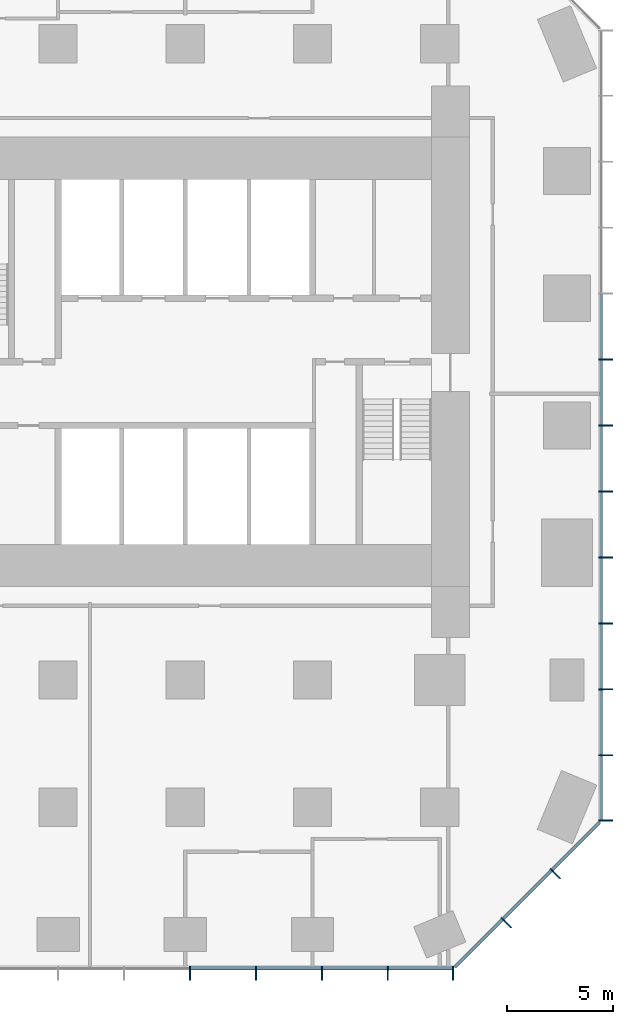
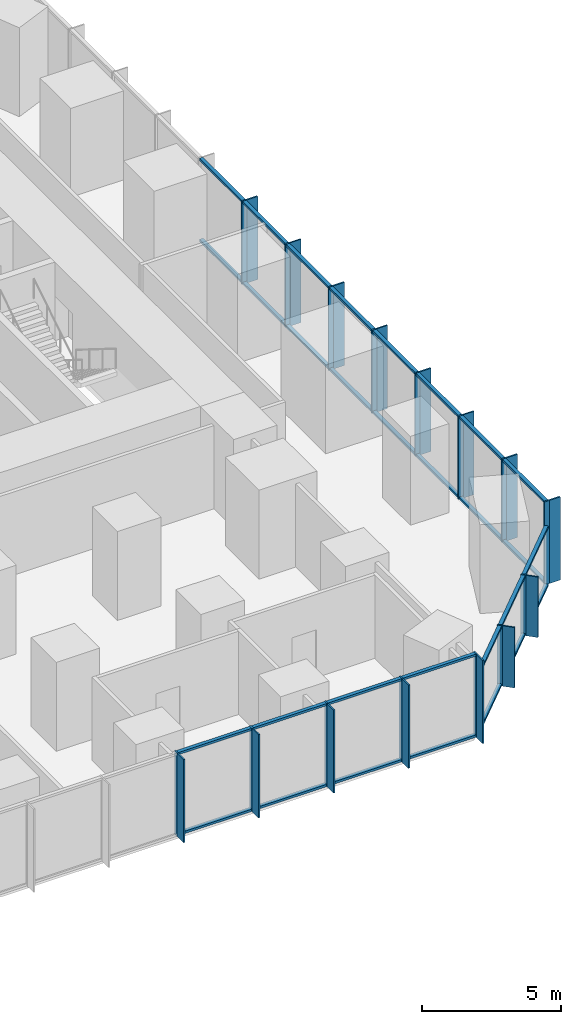
# One storey, part 4 of 12: 60 members, 3 elements without a shape of their own.
"""IFC4 building model written with IfcOpenShell, lengths in metres."""

import ifcopenshell
import ifcopenshell.guid

model = None  # the IFC model being written
_history = None  # IfcOwnerHistory: only IFC2X3 demands one
_inside = {}  # id of a spatial element -> (the spatial element, [elements in it])
_under = {}  # id of a project, library or spatial element -> (it, [spatial elements below it])
_declared = {}  # id of a project -> (the project, [libraries it declares])
_typed = {}  # id of a type object -> (the type object, [elements of that type])
_made_of = {}  # id of a material, layer set ... -> (it, [elements and type objects made of it])


def new_model(schema):
    """Start an empty IFC model of exactly this schema.

    Asked for "IFC4X3", IfcOpenShell would pick the latest addendum, in which some entities
    have other attributes; the version numbers below select the first issue.
    IFC2X3 requires an IfcOwnerHistory on every rooted entity: one is made here for all.
    """
    global model, _history
    if schema == "IFC4X3":
        model = ifcopenshell.file(schema_version=(4, 3, 0, 0))
    else:
        model = ifcopenshell.file(schema=schema)
    _inside.clear()
    _under.clear()
    _declared.clear()
    _typed.clear()
    _made_of.clear()
    _history = None
    if model.schema == "IFC2X3":
        org = make("IfcOrganization", Name="unknown")
        user = make(
            "IfcPersonAndOrganization",
            ThePerson=make("IfcPerson", FamilyName="unknown"),
            TheOrganization=org,
        )
        app = make(
            "IfcApplication",
            ApplicationDeveloper=org,
            Version="unknown",
            ApplicationFullName="unknown",
            ApplicationIdentifier="unknown",
        )
        _history = make(
            "IfcOwnerHistory",
            OwningUser=user,
            OwningApplication=app,
            ChangeAction="ADDED",
            CreationDate=0,
        )
    return model


def make(cls, **values):
    """One entity of the class cls with the attributes given. An attribute that is None is left unset."""
    return model.create_entity(
        cls, **{name: value for name, value in values.items() if value is not None}
    )


def rooted(cls, **values):
    """An entity with a GlobalId (a new one), such as an element, a storey or a relation."""
    return make(cls, GlobalId=ifcopenshell.guid.new(), OwnerHistory=_history, **values)


def si_unit(unit_type, name, prefix=None):
    """IfcSIUnit, for example si_unit("LENGTHUNIT", "METRE", prefix="MILLI")."""
    return make("IfcSIUnit", UnitType=unit_type, Prefix=prefix, Name=name)


def assignment(units):
    """IfcUnitAssignment: the units of a project."""
    return None if units is None else make("IfcUnitAssignment", Units=units)


def point(xyz):
    """IfcCartesianPoint."""
    return None if xyz is None else make("IfcCartesianPoint", Coordinates=xyz)


def direction(xyz):
    """IfcDirection."""
    return None if xyz is None else make("IfcDirection", DirectionRatios=xyz)


def frame(location, z_axis=None, x_axis=None):
    """IfcAxis2Placement3D, a coordinate frame: its origin and axes. An axis left out is left unset."""
    return make(
        "IfcAxis2Placement3D",
        Location=point(location),
        Axis=direction(z_axis),
        RefDirection=direction(x_axis),
    )


def frame_2d(location, x_axis=None):
    """IfcAxis2Placement2D, a coordinate frame in the plane: its origin and x axis."""
    return make(
        "IfcAxis2Placement2D", Location=point(location), RefDirection=direction(x_axis)
    )


def origin():
    """The frame at (0, 0, 0) with its axes left unset."""
    return frame((0.0, 0.0, 0.0))


def origin_2d():
    """The frame at (0, 0) in the plane with its x axis left unset."""
    return frame_2d((0.0, 0.0))


def place(relative_to, where):
    """IfcLocalPlacement: puts the frame where relative to a parent placement (None: the world)."""
    return make(
        "IfcLocalPlacement", PlacementRelTo=relative_to, RelativePlacement=where
    )


def context(
    kind, dimensions, precision=None, world=None, true_north=None, identifier=None
):
    """IfcGeometricRepresentationContext, for example the 3D "Model" context."""
    return make(
        "IfcGeometricRepresentationContext",
        ContextIdentifier=identifier,
        ContextType=kind,
        CoordinateSpaceDimension=dimensions,
        Precision=precision,
        WorldCoordinateSystem=world,
        TrueNorth=true_north,
    )


def subcontext(parent, identifier, kind, view, scale=None):
    """IfcGeometricRepresentationSubContext, for example "Body" below "Model"."""
    return make(
        "IfcGeometricRepresentationSubContext",
        ContextIdentifier=identifier,
        ContextType=kind,
        ParentContext=parent,
        TargetScale=scale,
        TargetView=view,
    )


def project(units=None, contexts=None):
    """IfcProject with its units and contexts."""
    return rooted(
        "IfcProject",
        Name="project",
        RepresentationContexts=contexts,
        UnitsInContext=assignment(units),
    )


def spatial(cls, under=None, at=None, **own):
    """A site, building, storey or space (cls), placed at a placement, below another one or the project."""
    s = rooted(cls, ObjectPlacement=at, **own)
    if under is not None:
        _under.setdefault(under.id(), (under, []))[1].append(s)
    return s


def profile(cls, at=None, kind="AREA", **sizes):
    """A parametric profile (cls). Its sizes go by their IFC names, for example OverallWidth=200.0."""
    return make(cls, ProfileType=kind, Position=at, **sizes)


def rectangle(**sizes):
    """IfcRectangleProfileDef."""
    return profile("IfcRectangleProfileDef", **sizes)


def extrude(swept, where, along, depth):
    """IfcExtrudedAreaSolid: the profile swept, set in the frame where, extruded along a direction by depth."""
    return make(
        "IfcExtrudedAreaSolid",
        SweptArea=swept,
        Position=where,
        ExtrudedDirection=direction(along),
        Depth=depth,
    )


def shape(context_of_items, identifier, shape_type, items):
    """IfcShapeRepresentation: the items that make up one representation, for example the "Body"."""
    return make(
        "IfcShapeRepresentation",
        ContextOfItems=context_of_items,
        RepresentationIdentifier=identifier,
        RepresentationType=shape_type,
        Items=items,
    )


def material(Name=None, Category=None):
    """IfcMaterial."""
    return make("IfcMaterial", Name=Name, Category=Category)


def layer(
    of_material, thickness, ventilated=None, Name=None, Category=None, Priority=None
):
    """IfcMaterialLayer: one layer of a wall or slab, of a material (None: an air gap)."""
    return make(
        "IfcMaterialLayer",
        Material=of_material,
        LayerThickness=thickness,
        IsVentilated=ventilated,
        Name=Name,
        Category=Category,
        Priority=Priority,
    )


def layer_set(layers, Name=None):
    """IfcMaterialLayerSet."""
    return make("IfcMaterialLayerSet", MaterialLayers=layers, LayerSetName=Name)


def material_profile(
    of_material, cross_section, Name=None, Category=None, Priority=None
):
    """IfcMaterialProfile: a cross section and its material."""
    return make(
        "IfcMaterialProfile",
        Name=Name,
        Material=of_material,
        Profile=cross_section,
        Priority=Priority,
        Category=Category,
    )


def profile_set(profiles, Name=None, composite=None):
    """IfcMaterialProfileSet."""
    return make(
        "IfcMaterialProfileSet",
        Name=Name,
        MaterialProfiles=profiles,
        CompositeProfile=composite,
    )


def made_of(thing, what):
    """Note that an element or type object is made of a material, layer set ...; save() writes the relation."""
    if what is not None:
        _made_of.setdefault(what.id(), (what, []))[1].append(thing)
    return thing


def type_object(cls, material=None, **own):
    """A type object (cls), such as IfcWallType, which elements share."""
    return made_of(rooted(cls, **own), material)


def element(
    cls,
    number,
    at=None,
    inside=None,
    cuts=None,
    type_object=None,
    material=None,
    context=None,
    identifier="Body",
    shape_type=None,
    held_by="IfcProductDefinitionShape",
    body=None,
    shapes=None,
    **own,
):
    """One element of the class cls, such as IfcWall. Its Tag is "e" and its number.

    at: its placement. inside: the storey or other place that contains it. cuts: it is an
    opening in that element (IfcRelVoidsElement). A single representation is given by context,
    identifier, shape_type and body (its items); several are given by shapes. held_by: the class
    of the entity that holds the representations. save() writes the other relations.
    """
    e = rooted(cls, Tag="e%d" % number, ObjectPlacement=at, **own)
    if body is not None:
        shapes = [shape(context, identifier, shape_type, body)]
    if shapes is not None:
        e.Representation = make(held_by, Representations=shapes)
    if inside is not None:
        _inside.setdefault(inside.id(), (inside, []))[1].append(e)
    if cuts is not None:
        rooted(
            "IfcRelVoidsElement", RelatingBuildingElement=cuts, RelatedOpeningElement=e
        )
    if type_object is not None:
        _typed.setdefault(type_object.id(), (type_object, []))[1].append(e)
    return made_of(e, material)


def aggregate(whole, parts):
    """IfcRelAggregates: a whole, such as a stair, and the parts it consists of."""
    return rooted("IfcRelAggregates", RelatingObject=whole, RelatedObjects=parts)


def save(model, path):
    """Write the relations noted so far, then the file.

    IfcRelAggregates (storeys below a building ...), IfcRelContainedInSpatialStructure (elements
    in a storey), IfcRelDefinesByType, IfcRelAssociatesMaterial and IfcRelDeclares: one each for
    every whole, place, type object, material and project.
    """
    for whole, parts in _under.values():
        aggregate(whole, parts)
    for where, things in _inside.values():
        rooted(
            "IfcRelContainedInSpatialStructure",
            RelatedElements=things,
            RelatingStructure=where,
        )
    for kind, things in _typed.values():
        rooted("IfcRelDefinesByType", RelatedObjects=things, RelatingType=kind)
    for what, things in _made_of.values():
        rooted("IfcRelAssociatesMaterial", RelatedObjects=things, RelatingMaterial=what)
    for by, libraries in _declared.values():
        rooted("IfcRelDeclares", RelatingContext=by, RelatedDefinitions=libraries)
    model.write(path)


model = new_model("IFC4")

# Units and contexts
model_context = context("Model", 3, precision=1e-05, world=origin(), true_north=direction((0.0, 1.0)))
body_context = subcontext(model_context, "Body", "Model", "MODEL_VIEW")
ifc_project = project(units=[si_unit("LENGTHUNIT", "METRE"), si_unit("AREAUNIT", "SQUARE_METRE"), si_unit("VOLUMEUNIT", "CUBIC_METRE"), si_unit("PLANEANGLEUNIT", "RADIAN"), si_unit("MASSUNIT", "GRAM", prefix="KILO")], contexts=[model_context])

# Site, building, storey
site_placement = place(None, origin())
site = spatial("IfcSite", under=ifc_project, at=site_placement, CompositionType="ELEMENT")
building_placement = place(site_placement, origin())
building = spatial("IfcBuilding", under=site, at=building_placement, Name="Highveld Stack Headquarters", CompositionType="ELEMENT")
storey_placement = place(building_placement, frame((0.0, 0.0, 37.699951171875)))
storey = spatial("IfcBuildingStorey", under=building, at=storey_placement, Name="L08", CompositionType="ELEMENT", Elevation=37.699951171875)

# Curtain wall, members
ifc_material_1 = material(Name="Aluminium bronze anodised", Category="aluminium")
ifc_layer_1 = layer(ifc_material_1, 0.199951171875)
ifc_layer_set_1 = layer_set([ifc_layer_1], Name="Aluminium bronze anodised")
curtain_wall_type_1 = type_object("IfcCurtainWallType", Name="CW1 TOWER UNITISED CURTAIN WALL", PredefinedType="NOTDEFINED", material=ifc_layer_set_1)
curtain_wall_1_placement = place(storey_placement, origin())
curtain_wall_1 = element("IfcCurtainWall", 1, at=curtain_wall_1_placement, inside=storey, type_object=curtain_wall_type_1, Name="Curtain wall CW1 L08 S", PredefinedType="NOTDEFINED")
ifc_material_2 = material(Name="Aluminium bronze anodised", Category="aluminium")
ifc_material_profile_1 = material_profile(ifc_material_2, rectangle(XDim=0.449951171875, YDim=0.06005859375, at=origin_2d()), Name="FIN 450x60")
ifc_profile_set_1 = profile_set([ifc_material_profile_1], Name="Aluminium bronze anodised")
member_type_1 = type_object("IfcMemberType", Name="CW1 BRONZE FIN 450x60", PredefinedType="USERDEFINED", material=ifc_profile_set_1)
member_1_placement = place(storey_placement, frame((6.220947265625, -25.925048828125, 0.0), z_axis=(0.0, 0.0, 1.0), x_axis=(0.0, 1.0, 0.0)))
member_1 = element("IfcMember", 2, at=member_1_placement, type_object=member_type_1, Name="CW1 fin L08 9", ObjectType="FIN", PredefinedType="USERDEFINED", context=body_context, shape_type="SweptSolid", body=[
    extrude(rectangle(XDim=0.449951171875, YDim=0.06005859375, at=origin_2d()), origin(), (0.0, 0.0, 1.0), 3.650146484375),
])
member_2_placement = place(storey_placement, frame((9.331298828125, -25.925048828125, 0.0), z_axis=(0.0, 0.0, 1.0), x_axis=(0.0, 1.0, 0.0)))
member_2 = element("IfcMember", 3, at=member_2_placement, type_object=member_type_1, Name="CW1 fin L08 10", ObjectType="FIN", PredefinedType="USERDEFINED", context=body_context, shape_type="SweptSolid", body=[
    extrude(rectangle(XDim=0.449951171875, YDim=0.06005859375, at=origin_2d()), origin(), (0.0, 0.0, 1.0), 3.650146484375),
])
member_3_placement = place(storey_placement, frame((12.44189453125, -25.925048828125, 0.0), z_axis=(0.0, 0.0, 1.0), x_axis=(0.0, 1.0, 0.0)))
member_3 = element("IfcMember", 4, at=member_3_placement, type_object=member_type_1, Name="CW1 fin L08 11", ObjectType="FIN", PredefinedType="USERDEFINED", context=body_context, shape_type="SweptSolid", body=[
    extrude(rectangle(XDim=0.449951171875, YDim=0.06005859375, at=origin_2d()), origin(), (0.0, 0.0, 1.0), 3.650146484375),
])
member_4_placement = place(storey_placement, frame((15.55224609375, -25.925048828125, 0.0), z_axis=(0.0, 0.0, 1.0), x_axis=(0.0, 1.0, 0.0)))
member_4 = element("IfcMember", 5, at=member_4_placement, type_object=member_type_1, Name="CW1 fin L08 12", ObjectType="FIN", PredefinedType="USERDEFINED", context=body_context, shape_type="SweptSolid", body=[
    extrude(rectangle(XDim=0.449951171875, YDim=0.06005859375, at=origin_2d()), origin(), (0.0, 0.0, 1.0), 3.650146484375),
])
member_5_placement = place(storey_placement, frame((18.630126953125, -25.925048828125, 0.0), z_axis=(0.0, 0.0, 1.0), x_axis=(0.0, 1.0, 0.0)))
member_5 = element("IfcMember", 6, at=member_5_placement, type_object=member_type_1, Name="CW1 fin L08 13", ObjectType="FIN", PredefinedType="USERDEFINED", context=body_context, shape_type="SweptSolid", body=[
    extrude(rectangle(XDim=0.449951171875, YDim=0.06005859375, at=origin_2d()), origin(), (0.0, 0.0, 1.0), 3.650146484375),
])

curtain_wall_2_placement = place(storey_placement, origin())
curtain_wall_2 = element("IfcCurtainWall", 7, at=curtain_wall_2_placement, inside=storey, type_object=curtain_wall_type_1, Name="Curtain wall CW1 L08 E", PredefinedType="NOTDEFINED")
member_6_placement = place(storey_placement, frame((25.925048828125, -18.630126953125, 0.0), z_axis=(0.0, 0.0, 1.0), x_axis=(-1.0, 0.0, 0.0)))
member_6 = element("IfcMember", 8, at=member_6_placement, type_object=member_type_1, Name="CW1 fin L08 1", ObjectType="FIN", PredefinedType="USERDEFINED", context=body_context, shape_type="SweptSolid", body=[
    extrude(rectangle(XDim=0.449951171875, YDim=0.06005859375, at=origin_2d()), origin(), (0.0, 0.0, 1.0), 3.650146484375),
])
member_7_placement = place(storey_placement, frame((25.925048828125, -15.55224609375, 0.0), z_axis=(0.0, 0.0, 1.0), x_axis=(-1.0, 0.0, 0.0)))
member_7 = element("IfcMember", 9, at=member_7_placement, type_object=member_type_1, Name="CW1 fin L08 2", ObjectType="FIN", PredefinedType="USERDEFINED", context=body_context, shape_type="SweptSolid", body=[
    extrude(rectangle(XDim=0.449951171875, YDim=0.06005859375, at=origin_2d()), origin(), (0.0, 0.0, 1.0), 3.650146484375),
])
member_8_placement = place(storey_placement, frame((25.925048828125, -12.44189453125, 0.0), z_axis=(0.0, 0.0, 1.0), x_axis=(-1.0, 0.0, 0.0)))
member_8 = element("IfcMember", 10, at=member_8_placement, type_object=member_type_1, Name="CW1 fin L08 3", ObjectType="FIN", PredefinedType="USERDEFINED", context=body_context, shape_type="SweptSolid", body=[
    extrude(rectangle(XDim=0.449951171875, YDim=0.06005859375, at=origin_2d()), origin(), (0.0, 0.0, 1.0), 3.650146484375),
])
member_9_placement = place(storey_placement, frame((25.925048828125, -9.331298828125, 0.0), z_axis=(0.0, 0.0, 1.0), x_axis=(-1.0, 0.0, 0.0)))
member_9 = element("IfcMember", 11, at=member_9_placement, type_object=member_type_1, Name="CW1 fin L08 4", ObjectType="FIN", PredefinedType="USERDEFINED", context=body_context, shape_type="SweptSolid", body=[
    extrude(rectangle(XDim=0.449951171875, YDim=0.06005859375, at=origin_2d()), origin(), (0.0, 0.0, 1.0), 3.650146484375),
])
member_10_placement = place(storey_placement, frame((25.925048828125, -6.220947265625, 0.0), z_axis=(0.0, 0.0, 1.0), x_axis=(-1.0, 0.0, 0.0)))
member_10 = element("IfcMember", 12, at=member_10_placement, type_object=member_type_1, Name="CW1 fin L08 5", ObjectType="FIN", PredefinedType="USERDEFINED", context=body_context, shape_type="SweptSolid", body=[
    extrude(rectangle(XDim=0.449951171875, YDim=0.06005859375, at=origin_2d()), origin(), (0.0, 0.0, 1.0), 3.650146484375),
])
member_11_placement = place(storey_placement, frame((25.925048828125, -3.110595703125, 0.0), z_axis=(0.0, 0.0, 1.0), x_axis=(-1.0, 0.0, 0.0)))
member_11 = element("IfcMember", 13, at=member_11_placement, type_object=member_type_1, Name="CW1 fin L08 6", ObjectType="FIN", PredefinedType="USERDEFINED", context=body_context, shape_type="SweptSolid", body=[
    extrude(rectangle(XDim=0.449951171875, YDim=0.06005859375, at=origin_2d()), origin(), (0.0, 0.0, 1.0), 3.650146484375),
])
member_12_placement = place(storey_placement, frame((25.925048828125, 0.0, 0.0), z_axis=(0.0, 0.0, 1.0), x_axis=(-1.0, 0.0, 0.0)))
member_12 = element("IfcMember", 14, at=member_12_placement, type_object=member_type_1, Name="CW1 fin L08 7", ObjectType="FIN", PredefinedType="USERDEFINED", context=body_context, shape_type="SweptSolid", body=[
    extrude(rectangle(XDim=0.449951171875, YDim=0.06005859375, at=origin_2d()), origin(), (0.0, 0.0, 1.0), 3.650146484375),
])
member_13_placement = place(storey_placement, frame((25.925048828125, 3.110595703125, 0.0), z_axis=(0.0, 0.0, 1.0), x_axis=(-1.0, 0.0, 0.0)))
member_13 = element("IfcMember", 15, at=member_13_placement, type_object=member_type_1, Name="CW1 fin L08 8", ObjectType="FIN", PredefinedType="USERDEFINED", context=body_context, shape_type="SweptSolid", body=[
    extrude(rectangle(XDim=0.449951171875, YDim=0.06005859375, at=origin_2d()), origin(), (0.0, 0.0, 1.0), 3.650146484375),
])

# Member
ifc_material_3 = material(Name="Aluminium bronze anodised", Category="aluminium")
ifc_material_profile_2 = material_profile(ifc_material_3, rectangle(XDim=0.199951171875, YDim=0.06494140625, at=origin_2d()), Name="CW1 MULLION 65x200")
ifc_profile_set_2 = profile_set([ifc_material_profile_2], Name="Aluminium bronze anodised")
member_type_2 = type_object("IfcMemberType", Name="CW1 MULLION 65x200", PredefinedType="MULLION", material=ifc_profile_set_2)
member_14_placement = place(storey_placement, frame((6.220947265625, -25.60009765625, 0.0), z_axis=(0.0, 0.0, 1.0), x_axis=(0.0, 1.0, 0.0)))
member_14 = element("IfcMember", 16, at=member_14_placement, type_object=member_type_2, Name="CW1 mullion L08 9", PredefinedType="MULLION", context=body_context, shape_type="SweptSolid", body=[
    extrude(rectangle(XDim=0.199951171875, YDim=0.06494140625, at=origin_2d()), origin(), (0.0, 0.0, 1.0), 3.650146484375),
])

member_15_placement = place(storey_placement, frame((9.331298828125, -25.60009765625, 0.0), z_axis=(0.0, 0.0, 1.0), x_axis=(0.0, 1.0, 0.0)))
member_15 = element("IfcMember", 17, at=member_15_placement, type_object=member_type_2, Name="CW1 mullion L08 10", PredefinedType="MULLION", context=body_context, shape_type="SweptSolid", body=[
    extrude(rectangle(XDim=0.199951171875, YDim=0.06494140625, at=origin_2d()), origin(), (0.0, 0.0, 1.0), 3.650146484375),
])

member_16_placement = place(storey_placement, frame((12.44189453125, -25.60009765625, 0.0), z_axis=(0.0, 0.0, 1.0), x_axis=(0.0, 1.0, 0.0)))
member_16 = element("IfcMember", 18, at=member_16_placement, type_object=member_type_2, Name="CW1 mullion L08 11", PredefinedType="MULLION", context=body_context, shape_type="SweptSolid", body=[
    extrude(rectangle(XDim=0.199951171875, YDim=0.06494140625, at=origin_2d()), origin(), (0.0, 0.0, 1.0), 3.650146484375),
])

member_17_placement = place(storey_placement, frame((15.55224609375, -25.60009765625, 0.0), z_axis=(0.0, 0.0, 1.0), x_axis=(0.0, 1.0, 0.0)))
member_17 = element("IfcMember", 19, at=member_17_placement, type_object=member_type_2, Name="CW1 mullion L08 12", PredefinedType="MULLION", context=body_context, shape_type="SweptSolid", body=[
    extrude(rectangle(XDim=0.199951171875, YDim=0.06494140625, at=origin_2d()), origin(), (0.0, 0.0, 1.0), 3.650146484375),
])

member_18_placement = place(storey_placement, frame((18.630126953125, -25.60009765625, 0.0), z_axis=(0.0, 0.0, 1.0), x_axis=(0.0, 1.0, 0.0)))
member_18 = element("IfcMember", 20, at=member_18_placement, type_object=member_type_2, Name="CW1 mullion L08 13", PredefinedType="MULLION", context=body_context, shape_type="SweptSolid", body=[
    extrude(rectangle(XDim=0.199951171875, YDim=0.06494140625, at=origin_2d()), origin(), (0.0, 0.0, 1.0), 3.650146484375),
])

member_19_placement = place(storey_placement, frame((25.60009765625, -18.630126953125, 0.0), z_axis=(0.0, 0.0, 1.0), x_axis=(-1.0, 0.0, 0.0)))
member_19 = element("IfcMember", 21, at=member_19_placement, type_object=member_type_2, Name="CW1 mullion L08 1", PredefinedType="MULLION", context=body_context, shape_type="SweptSolid", body=[
    extrude(rectangle(XDim=0.199951171875, YDim=0.06494140625, at=origin_2d()), origin(), (0.0, 0.0, 1.0), 3.650146484375),
])

member_20_placement = place(storey_placement, frame((25.60009765625, -15.55224609375, 0.0), z_axis=(0.0, 0.0, 1.0), x_axis=(-1.0, 0.0, 0.0)))
member_20 = element("IfcMember", 22, at=member_20_placement, type_object=member_type_2, Name="CW1 mullion L08 2", PredefinedType="MULLION", context=body_context, shape_type="SweptSolid", body=[
    extrude(rectangle(XDim=0.199951171875, YDim=0.06494140625, at=origin_2d()), origin(), (0.0, 0.0, 1.0), 3.650146484375),
])

member_21_placement = place(storey_placement, frame((25.60009765625, -12.44189453125, 0.0), z_axis=(0.0, 0.0, 1.0), x_axis=(-1.0, 0.0, 0.0)))
member_21 = element("IfcMember", 23, at=member_21_placement, type_object=member_type_2, Name="CW1 mullion L08 3", PredefinedType="MULLION", context=body_context, shape_type="SweptSolid", body=[
    extrude(rectangle(XDim=0.199951171875, YDim=0.06494140625, at=origin_2d()), origin(), (0.0, 0.0, 1.0), 3.650146484375),
])

member_22_placement = place(storey_placement, frame((25.60009765625, -9.331298828125, 0.0), z_axis=(0.0, 0.0, 1.0), x_axis=(-1.0, 0.0, 0.0)))
member_22 = element("IfcMember", 24, at=member_22_placement, type_object=member_type_2, Name="CW1 mullion L08 4", PredefinedType="MULLION", context=body_context, shape_type="SweptSolid", body=[
    extrude(rectangle(XDim=0.199951171875, YDim=0.06494140625, at=origin_2d()), origin(), (0.0, 0.0, 1.0), 3.650146484375),
])

member_23_placement = place(storey_placement, frame((25.60009765625, -6.220947265625, 0.0), z_axis=(0.0, 0.0, 1.0), x_axis=(-1.0, 0.0, 0.0)))
member_23 = element("IfcMember", 25, at=member_23_placement, type_object=member_type_2, Name="CW1 mullion L08 5", PredefinedType="MULLION", context=body_context, shape_type="SweptSolid", body=[
    extrude(rectangle(XDim=0.199951171875, YDim=0.06494140625, at=origin_2d()), origin(), (0.0, 0.0, 1.0), 3.650146484375),
])

member_24_placement = place(storey_placement, frame((25.60009765625, -3.110595703125, 0.0), z_axis=(0.0, 0.0, 1.0), x_axis=(-1.0, 0.0, 0.0)))
member_24 = element("IfcMember", 26, at=member_24_placement, type_object=member_type_2, Name="CW1 mullion L08 6", PredefinedType="MULLION", context=body_context, shape_type="SweptSolid", body=[
    extrude(rectangle(XDim=0.199951171875, YDim=0.06494140625, at=origin_2d()), origin(), (0.0, 0.0, 1.0), 3.650146484375),
])

member_25_placement = place(storey_placement, frame((25.60009765625, 0.0, 0.0), z_axis=(0.0, 0.0, 1.0), x_axis=(-1.0, 0.0, 0.0)))
member_25 = element("IfcMember", 27, at=member_25_placement, type_object=member_type_2, Name="CW1 mullion L08 7", PredefinedType="MULLION", context=body_context, shape_type="SweptSolid", body=[
    extrude(rectangle(XDim=0.199951171875, YDim=0.06494140625, at=origin_2d()), origin(), (0.0, 0.0, 1.0), 3.650146484375),
])

member_26_placement = place(storey_placement, frame((25.60009765625, 3.110595703125, 0.0), z_axis=(0.0, 0.0, 1.0), x_axis=(-1.0, 0.0, 0.0)))
member_26 = element("IfcMember", 28, at=member_26_placement, type_object=member_type_2, Name="CW1 mullion L08 8", PredefinedType="MULLION", context=body_context, shape_type="SweptSolid", body=[
    extrude(rectangle(XDim=0.199951171875, YDim=0.06494140625, at=origin_2d()), origin(), (0.0, 0.0, 1.0), 3.650146484375),
])

ifc_material_4 = material(Name="Aluminium bronze anodised", Category="aluminium")
ifc_material_profile_3 = material_profile(ifc_material_4, rectangle(XDim=0.14990234375, YDim=0.10009765625, at=origin_2d()), Name="CW1 TRANSOM 150x100")
ifc_profile_set_3 = profile_set([ifc_material_profile_3], Name="Aluminium bronze anodised")
member_type_3 = type_object("IfcMemberType", Name="CW1 STACK TRANSOM 150x100", PredefinedType="USERDEFINED", material=ifc_profile_set_3)
member_27_placement = place(storey_placement, frame((6.25341796875, -25.60009765625, 0.050048828125), z_axis=(1.0, 0.0, 0.0), x_axis=(0.0, 1.0, 0.0)))
member_27 = element("IfcMember", 29, at=member_27_placement, type_object=member_type_3, Name="CW1 transom L08 9.1", ObjectType="TRANSOM", PredefinedType="USERDEFINED", context=body_context, shape_type="SweptSolid", body=[
    extrude(rectangle(XDim=0.14990234375, YDim=0.10009765625, at=origin_2d()), origin(), (0.0, 0.0, 1.0), 3.04541015625),
])

member_28_placement = place(storey_placement, frame((6.25341796875, -25.60009765625, 3.60009765625), z_axis=(1.0, 0.0, 0.0), x_axis=(0.0, 1.0, 0.0)))
member_28 = element("IfcMember", 30, at=member_28_placement, type_object=member_type_3, Name="CW1 transom L08 9.2", ObjectType="TRANSOM", PredefinedType="USERDEFINED", context=body_context, shape_type="SweptSolid", body=[
    extrude(rectangle(XDim=0.14990234375, YDim=0.10009765625, at=origin_2d()), origin(), (0.0, 0.0, 1.0), 3.04541015625),
])

member_29_placement = place(storey_placement, frame((9.36376953125, -25.60009765625, 0.050048828125), z_axis=(1.0, 0.0, 0.0), x_axis=(0.0, 1.0, 0.0)))
member_29 = element("IfcMember", 31, at=member_29_placement, type_object=member_type_3, Name="CW1 transom L08 10.1", ObjectType="TRANSOM", PredefinedType="USERDEFINED", context=body_context, shape_type="SweptSolid", body=[
    extrude(rectangle(XDim=0.14990234375, YDim=0.10009765625, at=origin_2d()), origin(), (0.0, 0.0, 1.0), 3.04541015625),
])

member_30_placement = place(storey_placement, frame((9.36376953125, -25.60009765625, 3.60009765625), z_axis=(1.0, 0.0, 0.0), x_axis=(0.0, 1.0, 0.0)))
member_30 = element("IfcMember", 32, at=member_30_placement, type_object=member_type_3, Name="CW1 transom L08 10.2", ObjectType="TRANSOM", PredefinedType="USERDEFINED", context=body_context, shape_type="SweptSolid", body=[
    extrude(rectangle(XDim=0.14990234375, YDim=0.10009765625, at=origin_2d()), origin(), (0.0, 0.0, 1.0), 3.04541015625),
])

member_31_placement = place(storey_placement, frame((12.474365234375, -25.60009765625, 0.050048828125), z_axis=(1.0, 0.0, 0.0), x_axis=(0.0, 1.0, 0.0)))
member_31 = element("IfcMember", 33, at=member_31_placement, type_object=member_type_3, Name="CW1 transom L08 11.1", ObjectType="TRANSOM", PredefinedType="USERDEFINED", context=body_context, shape_type="SweptSolid", body=[
    extrude(rectangle(XDim=0.14990234375, YDim=0.10009765625, at=origin_2d()), origin(), (0.0, 0.0, 1.0), 3.04541015625),
])

member_32_placement = place(storey_placement, frame((12.474365234375, -25.60009765625, 3.60009765625), z_axis=(1.0, 0.0, 0.0), x_axis=(0.0, 1.0, 0.0)))
member_32 = element("IfcMember", 34, at=member_32_placement, type_object=member_type_3, Name="CW1 transom L08 11.2", ObjectType="TRANSOM", PredefinedType="USERDEFINED", context=body_context, shape_type="SweptSolid", body=[
    extrude(rectangle(XDim=0.14990234375, YDim=0.10009765625, at=origin_2d()), origin(), (0.0, 0.0, 1.0), 3.04541015625),
])

member_33_placement = place(storey_placement, frame((15.584716796875, -25.60009765625, 0.050048828125), z_axis=(1.0, 0.0, 0.0), x_axis=(0.0, 1.0, 0.0)))
member_33 = element("IfcMember", 35, at=member_33_placement, type_object=member_type_3, Name="CW1 transom L08 12.1", ObjectType="TRANSOM", PredefinedType="USERDEFINED", context=body_context, shape_type="SweptSolid", body=[
    extrude(rectangle(XDim=0.14990234375, YDim=0.10009765625, at=origin_2d()), origin(), (0.0, 0.0, 1.0), 3.012939453125),
])

member_34_placement = place(storey_placement, frame((15.584716796875, -25.60009765625, 3.60009765625), z_axis=(1.0, 0.0, 0.0), x_axis=(0.0, 1.0, 0.0)))
member_34 = element("IfcMember", 36, at=member_34_placement, type_object=member_type_3, Name="CW1 transom L08 12.2", ObjectType="TRANSOM", PredefinedType="USERDEFINED", context=body_context, shape_type="SweptSolid", body=[
    extrude(rectangle(XDim=0.14990234375, YDim=0.10009765625, at=origin_2d()), origin(), (0.0, 0.0, 1.0), 3.012939453125),
])

aggregate(curtain_wall_1, [member_14, member_1, member_15, member_2, member_16, member_3, member_17, member_4, member_18, member_5, member_27, member_28, member_29, member_30, member_31, member_32, member_33, member_34])

member_35_placement = place(storey_placement, frame((25.60009765625, -18.59765625, 0.050048828125), z_axis=(0.0, 1.0, 0.0), x_axis=(-1.0, 0.0, 0.0)))
member_35 = element("IfcMember", 37, at=member_35_placement, type_object=member_type_3, Name="CW1 transom L08 1.1", ObjectType="TRANSOM", PredefinedType="USERDEFINED", context=body_context, shape_type="SweptSolid", body=[
    extrude(rectangle(XDim=0.14990234375, YDim=0.10009765625, at=origin_2d()), origin(), (0.0, 0.0, 1.0), 3.012939453125),
])

member_36_placement = place(storey_placement, frame((25.60009765625, -18.59765625, 3.60009765625), z_axis=(0.0, 1.0, 0.0), x_axis=(-1.0, 0.0, 0.0)))
member_36 = element("IfcMember", 38, at=member_36_placement, type_object=member_type_3, Name="CW1 transom L08 1.2", ObjectType="TRANSOM", PredefinedType="USERDEFINED", context=body_context, shape_type="SweptSolid", body=[
    extrude(rectangle(XDim=0.14990234375, YDim=0.10009765625, at=origin_2d()), origin(), (0.0, 0.0, 1.0), 3.012939453125),
])

member_37_placement = place(storey_placement, frame((25.60009765625, -15.519775390625, 0.050048828125), z_axis=(0.0, 1.0, 0.0), x_axis=(-1.0, 0.0, 0.0)))
member_37 = element("IfcMember", 39, at=member_37_placement, type_object=member_type_3, Name="CW1 transom L08 2.1", ObjectType="TRANSOM", PredefinedType="USERDEFINED", context=body_context, shape_type="SweptSolid", body=[
    extrude(rectangle(XDim=0.14990234375, YDim=0.10009765625, at=origin_2d()), origin(), (0.0, 0.0, 1.0), 3.04541015625),
])

member_38_placement = place(storey_placement, frame((25.60009765625, -15.519775390625, 3.60009765625), z_axis=(0.0, 1.0, 0.0), x_axis=(-1.0, 0.0, 0.0)))
member_38 = element("IfcMember", 40, at=member_38_placement, type_object=member_type_3, Name="CW1 transom L08 2.2", ObjectType="TRANSOM", PredefinedType="USERDEFINED", context=body_context, shape_type="SweptSolid", body=[
    extrude(rectangle(XDim=0.14990234375, YDim=0.10009765625, at=origin_2d()), origin(), (0.0, 0.0, 1.0), 3.04541015625),
])

member_39_placement = place(storey_placement, frame((25.60009765625, -12.4091796875, 0.050048828125), z_axis=(0.0, 1.0, 0.0), x_axis=(-1.0, 0.0, 0.0)))
member_39 = element("IfcMember", 41, at=member_39_placement, type_object=member_type_3, Name="CW1 transom L08 3.1", ObjectType="TRANSOM", PredefinedType="USERDEFINED", context=body_context, shape_type="SweptSolid", body=[
    extrude(rectangle(XDim=0.14990234375, YDim=0.10009765625, at=origin_2d()), origin(), (0.0, 0.0, 1.0), 3.045166015625),
])

member_40_placement = place(storey_placement, frame((25.60009765625, -12.4091796875, 3.60009765625), z_axis=(0.0, 1.0, 0.0), x_axis=(-1.0, 0.0, 0.0)))
member_40 = element("IfcMember", 42, at=member_40_placement, type_object=member_type_3, Name="CW1 transom L08 3.2", ObjectType="TRANSOM", PredefinedType="USERDEFINED", context=body_context, shape_type="SweptSolid", body=[
    extrude(rectangle(XDim=0.14990234375, YDim=0.10009765625, at=origin_2d()), origin(), (0.0, 0.0, 1.0), 3.045166015625),
])

member_41_placement = place(storey_placement, frame((25.60009765625, -9.298828125, 0.050048828125), z_axis=(0.0, 1.0, 0.0), x_axis=(-1.0, 0.0, 0.0)))
member_41 = element("IfcMember", 43, at=member_41_placement, type_object=member_type_3, Name="CW1 transom L08 4.1", ObjectType="TRANSOM", PredefinedType="USERDEFINED", context=body_context, shape_type="SweptSolid", body=[
    extrude(rectangle(XDim=0.14990234375, YDim=0.10009765625, at=origin_2d()), origin(), (0.0, 0.0, 1.0), 3.04541015625),
])

member_42_placement = place(storey_placement, frame((25.60009765625, -9.298828125, 3.60009765625), z_axis=(0.0, 1.0, 0.0), x_axis=(-1.0, 0.0, 0.0)))
member_42 = element("IfcMember", 44, at=member_42_placement, type_object=member_type_3, Name="CW1 transom L08 4.2", ObjectType="TRANSOM", PredefinedType="USERDEFINED", context=body_context, shape_type="SweptSolid", body=[
    extrude(rectangle(XDim=0.14990234375, YDim=0.10009765625, at=origin_2d()), origin(), (0.0, 0.0, 1.0), 3.04541015625),
])

member_43_placement = place(storey_placement, frame((25.60009765625, -6.1884765625, 0.050048828125), z_axis=(0.0, 1.0, 0.0), x_axis=(-1.0, 0.0, 0.0)))
member_43 = element("IfcMember", 45, at=member_43_placement, type_object=member_type_3, Name="CW1 transom L08 5.1", ObjectType="TRANSOM", PredefinedType="USERDEFINED", context=body_context, shape_type="SweptSolid", body=[
    extrude(rectangle(XDim=0.14990234375, YDim=0.10009765625, at=origin_2d()), origin(), (0.0, 0.0, 1.0), 3.04541015625),
])

member_44_placement = place(storey_placement, frame((25.60009765625, -6.1884765625, 3.60009765625), z_axis=(0.0, 1.0, 0.0), x_axis=(-1.0, 0.0, 0.0)))
member_44 = element("IfcMember", 46, at=member_44_placement, type_object=member_type_3, Name="CW1 transom L08 5.2", ObjectType="TRANSOM", PredefinedType="USERDEFINED", context=body_context, shape_type="SweptSolid", body=[
    extrude(rectangle(XDim=0.14990234375, YDim=0.10009765625, at=origin_2d()), origin(), (0.0, 0.0, 1.0), 3.04541015625),
])

member_45_placement = place(storey_placement, frame((25.60009765625, -3.077880859375, 0.050048828125), z_axis=(0.0, 1.0, 0.0), x_axis=(-1.0, 0.0, 0.0)))
member_45 = element("IfcMember", 47, at=member_45_placement, type_object=member_type_3, Name="CW1 transom L08 6.1", ObjectType="TRANSOM", PredefinedType="USERDEFINED", context=body_context, shape_type="SweptSolid", body=[
    extrude(rectangle(XDim=0.14990234375, YDim=0.10009765625, at=origin_2d()), origin(), (0.0, 0.0, 1.0), 3.04541015625),
])

member_46_placement = place(storey_placement, frame((25.60009765625, -3.077880859375, 3.60009765625), z_axis=(0.0, 1.0, 0.0), x_axis=(-1.0, 0.0, 0.0)))
member_46 = element("IfcMember", 48, at=member_46_placement, type_object=member_type_3, Name="CW1 transom L08 6.2", ObjectType="TRANSOM", PredefinedType="USERDEFINED", context=body_context, shape_type="SweptSolid", body=[
    extrude(rectangle(XDim=0.14990234375, YDim=0.10009765625, at=origin_2d()), origin(), (0.0, 0.0, 1.0), 3.04541015625),
])

member_47_placement = place(storey_placement, frame((25.60009765625, 0.032470703125, 0.050048828125), z_axis=(0.0, 1.0, 0.0), x_axis=(-1.0, 0.0, 0.0)))
member_47 = element("IfcMember", 49, at=member_47_placement, type_object=member_type_3, Name="CW1 transom L08 7.1", ObjectType="TRANSOM", PredefinedType="USERDEFINED", context=body_context, shape_type="SweptSolid", body=[
    extrude(rectangle(XDim=0.14990234375, YDim=0.10009765625, at=origin_2d()), origin(), (0.0, 0.0, 1.0), 3.04541015625),
])

member_48_placement = place(storey_placement, frame((25.60009765625, 0.032470703125, 3.60009765625), z_axis=(0.0, 1.0, 0.0), x_axis=(-1.0, 0.0, 0.0)))
member_48 = element("IfcMember", 50, at=member_48_placement, type_object=member_type_3, Name="CW1 transom L08 7.2", ObjectType="TRANSOM", PredefinedType="USERDEFINED", context=body_context, shape_type="SweptSolid", body=[
    extrude(rectangle(XDim=0.14990234375, YDim=0.10009765625, at=origin_2d()), origin(), (0.0, 0.0, 1.0), 3.04541015625),
])

member_49_placement = place(storey_placement, frame((25.60009765625, 3.142822265625, 0.050048828125), z_axis=(0.0, 1.0, 0.0), x_axis=(-1.0, 0.0, 0.0)))
member_49 = element("IfcMember", 51, at=member_49_placement, type_object=member_type_3, Name="CW1 transom L08 8.1", ObjectType="TRANSOM", PredefinedType="USERDEFINED", context=body_context, shape_type="SweptSolid", body=[
    extrude(rectangle(XDim=0.14990234375, YDim=0.10009765625, at=origin_2d()), origin(), (0.0, 0.0, 1.0), 3.045654296875),
])

member_50_placement = place(storey_placement, frame((25.60009765625, 3.142822265625, 3.60009765625), z_axis=(0.0, 1.0, 0.0), x_axis=(-1.0, 0.0, 0.0)))
member_50 = element("IfcMember", 52, at=member_50_placement, type_object=member_type_3, Name="CW1 transom L08 8.2", ObjectType="TRANSOM", PredefinedType="USERDEFINED", context=body_context, shape_type="SweptSolid", body=[
    extrude(rectangle(XDim=0.14990234375, YDim=0.10009765625, at=origin_2d()), origin(), (0.0, 0.0, 1.0), 3.045654296875),
])

aggregate(curtain_wall_2, [member_19, member_6, member_20, member_7, member_21, member_8, member_22, member_9, member_23, member_10, member_24, member_11, member_25, member_12, member_26, member_13, member_35, member_36, member_37, member_38, member_39, member_40, member_41, member_42, member_43, member_44, member_45, member_46, member_47, member_48, member_49, member_50])

# Curtain wall, members
ifc_material_5 = material(Name="Aluminium bronze anodised", Category="aluminium")
ifc_layer_2 = layer(ifc_material_5, 0.199951171875)
ifc_layer_set_2 = layer_set([ifc_layer_2], Name="Aluminium bronze anodised")
curtain_wall_type_2 = type_object("IfcCurtainWallType", Name="CW2 TOWER CHAMFER UNITISED CURTAIN WALL", PredefinedType="NOTDEFINED", material=ifc_layer_set_2)
curtain_wall_3_placement = place(storey_placement, origin())
curtain_wall_3 = element("IfcCurtainWall", 53, at=curtain_wall_3_placement, inside=storey, type_object=curtain_wall_type_2, Name="Curtain wall CW2 L08 SE", PredefinedType="NOTDEFINED")
ifc_material_6 = material(Name="Aluminium bronze anodised", Category="aluminium")
ifc_material_profile_4 = material_profile(ifc_material_6, rectangle(XDim=0.449951171875, YDim=0.06005859375, at=origin_2d()), Name="FIN 450x60")
ifc_profile_set_4 = profile_set([ifc_material_profile_4], Name="Aluminium bronze anodised")
member_type_4 = type_object("IfcMemberType", Name="CW2 BRONZE FIN 450x60", PredefinedType="USERDEFINED", material=ifc_profile_set_4)
member_51_placement = place(storey_placement, frame((21.204833984375, -23.517333984375, 0.0), z_axis=(0.0, 0.0, 1.0), x_axis=(-0.707106781187, 0.707106781187, 0.0)))
member_51 = element("IfcMember", 54, at=member_51_placement, type_object=member_type_4, Name="CW2 fin L08 1", ObjectType="FIN", PredefinedType="USERDEFINED", context=body_context, shape_type="SweptSolid", body=[
    extrude(rectangle(XDim=0.449951171875, YDim=0.06005859375, at=origin_2d()), origin(), (0.0, 0.0, 1.0), 2.650146484375),
])
member_52_placement = place(storey_placement, frame((23.517333984375, -21.204833984375, 0.0), z_axis=(0.0, 0.0, 1.0), x_axis=(-0.707106781187, 0.707106781187, 0.0)))
member_52 = element("IfcMember", 55, at=member_52_placement, type_object=member_type_4, Name="CW2 fin L08 2", ObjectType="FIN", PredefinedType="USERDEFINED", context=body_context, shape_type="SweptSolid", body=[
    extrude(rectangle(XDim=0.449951171875, YDim=0.06005859375, at=origin_2d()), origin(), (0.0, 0.0, 1.0), 2.650146484375),
])
ifc_material_7 = material(Name="Aluminium bronze anodised", Category="aluminium")
ifc_material_profile_5 = material_profile(ifc_material_7, rectangle(XDim=0.199951171875, YDim=0.06494140625, at=origin_2d()), Name="CW2 MULLION 65x200")
ifc_profile_set_5 = profile_set([ifc_material_profile_5], Name="Aluminium bronze anodised")
member_type_5 = type_object("IfcMemberType", Name="CW2 MULLION 65x200", PredefinedType="MULLION", material=ifc_profile_set_5)
member_53_placement = place(storey_placement, frame((20.97509765625, -23.28759765625, 0.0), z_axis=(0.0, 0.0, 1.0), x_axis=(-0.707106781187, 0.707106781187, 0.0)))
member_53 = element("IfcMember", 56, at=member_53_placement, type_object=member_type_5, Name="CW2 mullion L08 1", PredefinedType="MULLION", context=body_context, shape_type="SweptSolid", body=[
    extrude(rectangle(XDim=0.199951171875, YDim=0.06494140625, at=origin_2d()), origin(), (0.0, 0.0, 1.0), 2.650146484375),
])
member_54_placement = place(storey_placement, frame((23.28759765625, -20.97509765625, 0.0), z_axis=(0.0, 0.0, 1.0), x_axis=(-0.707106781187, 0.707106781187, 0.0)))
member_54 = element("IfcMember", 57, at=member_54_placement, type_object=member_type_5, Name="CW2 mullion L08 2", PredefinedType="MULLION", context=body_context, shape_type="SweptSolid", body=[
    extrude(rectangle(XDim=0.199951171875, YDim=0.06494140625, at=origin_2d()), origin(), (0.0, 0.0, 1.0), 2.650146484375),
])
ifc_material_8 = material(Name="Aluminium bronze anodised", Category="aluminium")
ifc_material_profile_6 = material_profile(ifc_material_8, rectangle(XDim=0.14990234375, YDim=0.10009765625, at=origin_2d()), Name="CW2 TRANSOM 150x100")
ifc_profile_set_6 = profile_set([ifc_material_profile_6], Name="Aluminium bronze anodised")
member_type_6 = type_object("IfcMemberType", Name="CW2 STACK TRANSOM 150x100", PredefinedType="USERDEFINED", material=ifc_profile_set_6)
member_55_placement = place(storey_placement, frame((18.7333984375, -25.529296875, 0.050048828125), z_axis=(0.707106781187, 0.707106781187, 0.0), x_axis=(-0.707106781187, 0.707106781187, 0.0)))
member_55 = element("IfcMember", 58, at=member_55_placement, type_object=member_type_6, Name="CW2 transom L08 1.1", ObjectType="TRANSOM", PredefinedType="USERDEFINED", context=body_context, shape_type="SweptSolid", body=[
    extrude(rectangle(XDim=0.14990234375, YDim=0.10009765625, at=origin_2d()), origin(), (0.0, 0.0, 1.0), 3.1376953125),
])
member_56_placement = place(storey_placement, frame((18.7333984375, -25.529296875, 2.60009765625), z_axis=(0.707106781187, 0.707106781187, 0.0), x_axis=(-0.707106781187, 0.707106781187, 0.0)))
member_56 = element("IfcMember", 59, at=member_56_placement, type_object=member_type_6, Name="CW2 transom L08 1.2", ObjectType="TRANSOM", PredefinedType="USERDEFINED", context=body_context, shape_type="SweptSolid", body=[
    extrude(rectangle(XDim=0.14990234375, YDim=0.10009765625, at=origin_2d()), origin(), (0.0, 0.0, 1.0), 3.1376953125),
])
member_57_placement = place(storey_placement, frame((20.998046875, -23.2646484375, 0.050048828125), z_axis=(0.707106781187, 0.707106781187, 0.0), x_axis=(-0.707106781187, 0.707106781187, 0.0)))
member_57 = element("IfcMember", 60, at=member_57_placement, type_object=member_type_6, Name="CW2 transom L08 2.1", ObjectType="TRANSOM", PredefinedType="USERDEFINED", context=body_context, shape_type="SweptSolid", body=[
    extrude(rectangle(XDim=0.14990234375, YDim=0.10009765625, at=origin_2d()), origin(), (0.0, 0.0, 1.0), 3.20556640625),
])
member_58_placement = place(storey_placement, frame((20.998046875, -23.2646484375, 2.60009765625), z_axis=(0.707106781187, 0.707106781187, 0.0), x_axis=(-0.707106781187, 0.707106781187, 0.0)))
member_58 = element("IfcMember", 61, at=member_58_placement, type_object=member_type_6, Name="CW2 transom L08 2.2", ObjectType="TRANSOM", PredefinedType="USERDEFINED", context=body_context, shape_type="SweptSolid", body=[
    extrude(rectangle(XDim=0.14990234375, YDim=0.10009765625, at=origin_2d()), origin(), (0.0, 0.0, 1.0), 3.20556640625),
])
member_59_placement = place(storey_placement, frame((23.310546875, -20.9521484375, 0.050048828125), z_axis=(0.707106781187, 0.707106781187, 0.0), x_axis=(-0.707106781187, 0.707106781187, 0.0)))
member_59 = element("IfcMember", 62, at=member_59_placement, type_object=member_type_6, Name="CW2 transom L08 3.1", ObjectType="TRANSOM", PredefinedType="USERDEFINED", context=body_context, shape_type="SweptSolid", body=[
    extrude(rectangle(XDim=0.14990234375, YDim=0.10009765625, at=origin_2d()), origin(), (0.0, 0.0, 1.0), 3.1376953125),
])
member_60_placement = place(storey_placement, frame((23.310546875, -20.9521484375, 2.60009765625), z_axis=(0.707106781187, 0.707106781187, 0.0), x_axis=(-0.707106781187, 0.707106781187, 0.0)))
member_60 = element("IfcMember", 63, at=member_60_placement, type_object=member_type_6, Name="CW2 transom L08 3.2", ObjectType="TRANSOM", PredefinedType="USERDEFINED", context=body_context, shape_type="SweptSolid", body=[
    extrude(rectangle(XDim=0.14990234375, YDim=0.10009765625, at=origin_2d()), origin(), (0.0, 0.0, 1.0), 3.1376953125),
])
aggregate(curtain_wall_3, [member_53, member_51, member_54, member_52, member_55, member_56, member_57, member_58, member_59, member_60])

save(model, "model.ifc")
